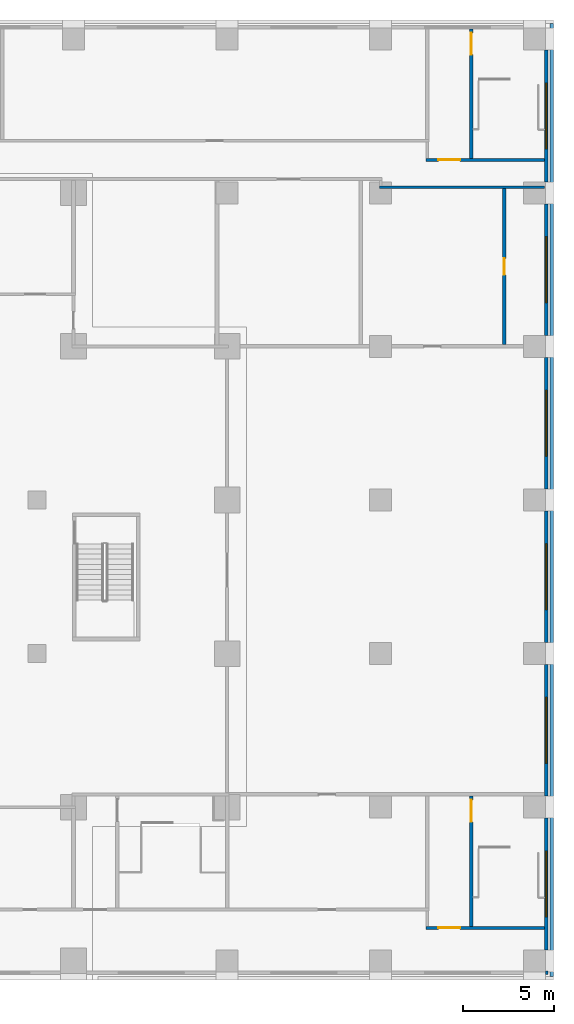
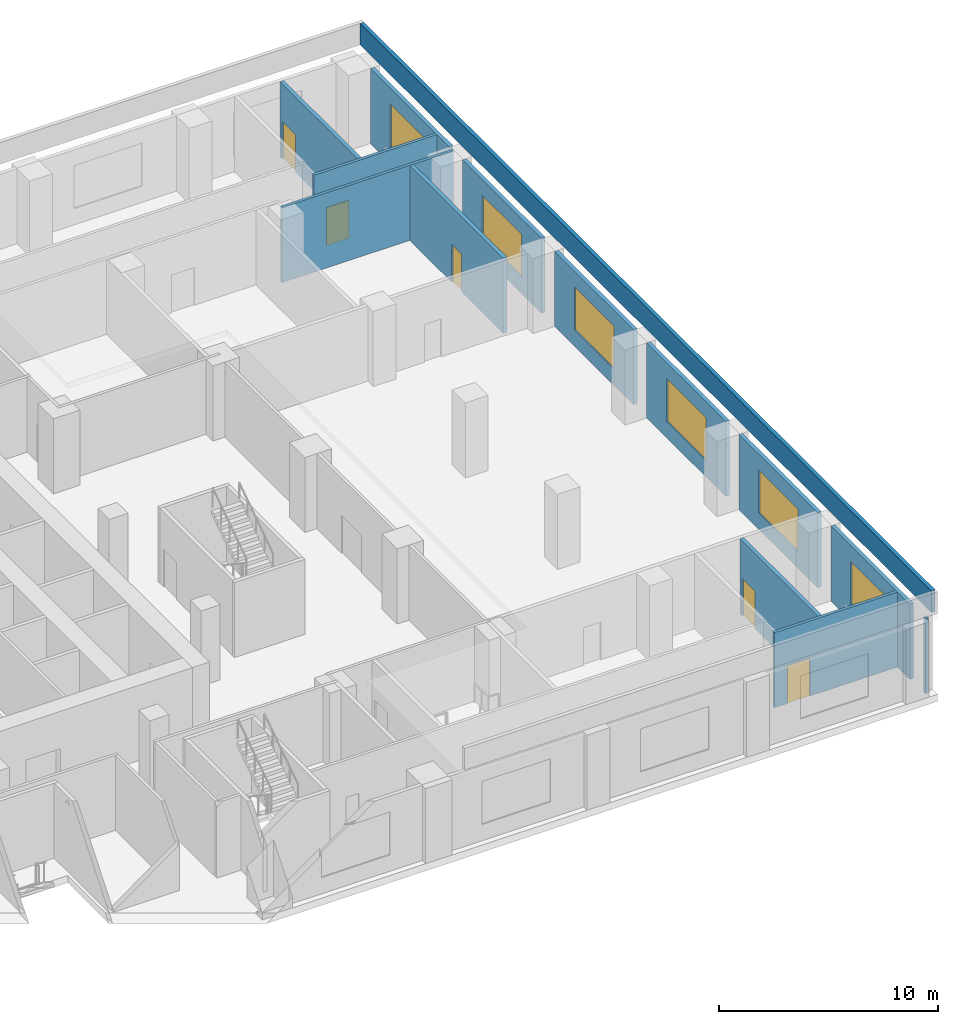
# One storey, part 9 of 16: 14 walls, 6 windows, 5 doors, 11 openings.
"""IFC4 building model written with IfcOpenShell, lengths in metres."""

from ifc_helpers import new_model, si_unit, direction, frame, frame_2d, origin, place, context, subcontext, project, spatial, rectangle, extrude, material, layer, layer_set, type_object, element, fill, save


model = new_model("IFC4")

# Units and contexts
model_context = context("Model", 3, precision=1e-05, world=origin(), true_north=direction((0.0, 1.0)))
body_context = subcontext(model_context, "Body", "Model", "MODEL_VIEW")
ifc_project = project(units=[si_unit("LENGTHUNIT", "METRE"), si_unit("AREAUNIT", "SQUARE_METRE"), si_unit("VOLUMEUNIT", "CUBIC_METRE"), si_unit("PLANEANGLEUNIT", "RADIAN"), si_unit("MASSUNIT", "GRAM", prefix="KILO")], contexts=[model_context])

# Site, building, storey
site_placement = place(None, origin())
site = spatial("IfcSite", under=ifc_project, at=site_placement, CompositionType="ELEMENT")
building_placement = place(site_placement, origin())
building = spatial("IfcBuilding", under=site, at=building_placement, Name="Vermilion Ogive Tower", CompositionType="ELEMENT")
storey_placement = place(building_placement, frame((0.0, 0.0, 30.0)))
storey = spatial("IfcBuildingStorey", under=building, at=storey_placement, Name="L05", CompositionType="ELEMENT", Elevation=30.0)

# Wall, opening, door
ifc_material_1 = material(Name="Gypsum board partition on steel studs", Category="steel")
ifc_layer_1 = layer(ifc_material_1, 0.14990234375)
ifc_layer_set_1 = layer_set([ifc_layer_1], Name="Partition 150 corridor")
wall_type_1 = type_object("IfcWallType", Name="Partition 150 corridor", PredefinedType="PARTITIONING", material=ifc_layer_set_1)
wall_1_placement = place(storey_placement, frame((36.074951171875, -19.199951171875, 0.0), z_axis=(0.0, 0.0, 1.0), x_axis=(1.0, 0.0, 0.0)))
wall_1 = element("IfcWall", 1, at=wall_1_placement, inside=storey, type_object=wall_type_1, Name="L05-FS-W-W001", PredefinedType="PARTITIONING", context=body_context, shape_type="SweptSolid", body=[
    extrude(rectangle(XDim=6.47509765625, YDim=0.14990234375, at=frame_2d((3.237548828125, 0.0))), origin(), (0.0, 0.0, 1.0), 4.179931640625),
])
opening_1_placement = place(wall_1_placement, frame((0.675048828125, 0.0, 0.0)))
opening_1 = element("IfcOpeningElement", 2, at=opening_1_placement, cuts=wall_1, Name="Opening L05S012", PredefinedType="OPENING", context=body_context, shape_type="SweptSolid", body=[
    extrude(rectangle(XDim=1.199951171875, YDim=2.10009765625, at=frame_2d((0.60009765625, 1.050048828125))), frame((0.0, 0.0849609375, 0.0), z_axis=(0.0, -1.0, 0.0), x_axis=(1.0, 0.0, 0.0)), (0.0, 0.0, 1.0), 0.169921875),
])
ifc_material_2 = material(Name="Timber door leaf", Category="wood")
door_type_1 = type_object("IfcDoorType", Name="Stair door 1200 x 2100 FD60S", OperationType="SINGLE_SWING_LEFT", PredefinedType="DOOR", material=ifc_material_2)
door_1_placement = place(opening_1_placement, origin())
door_1 = element("IfcDoor", 3, at=door_1_placement, inside=storey, type_object=door_type_1, Name="L05-FS-D-D012", OperationType="SINGLE_SWING_LEFT", OverallHeight=2.10009765625, OverallWidth=1.199951171875, PredefinedType="DOOR", context=body_context, shape_type="SweptSolid", body=[
    extrude(rectangle(XDim=1.199951171875, YDim=2.10009765625, at=frame_2d((0.60009765625, 1.050048828125))), frame((0.0, 0.02490234375, 0.0), z_axis=(0.0, -1.0, 0.0), x_axis=(1.0, 0.0, 0.0)), (0.0, 0.0, 1.0), 0.050048828125),
])
fill(opening_1, door_1)

# Wall
wall_2_placement = place(storey_placement, frame((33.52490234375, 21.300048828125, 0.0), z_axis=(0.0, 0.0, 1.0), x_axis=(1.0, 0.0, 0.0)))
element("IfcWall", 4, at=wall_2_placement, inside=storey, type_object=wall_type_1, Name="L05-FS-W-W018", PredefinedType="PARTITIONING", context=body_context, shape_type="SweptSolid", body=[
    extrude(rectangle(XDim=9.025146484375, YDim=0.14990234375, at=frame_2d((4.5126953125, 0.0))), origin(), (0.0, 0.0, 1.0), 4.179931640625),
])

# Wall, opening, door
wall_3_placement = place(storey_placement, frame((36.074951171875, 22.800048828125, 0.0), z_axis=(0.0, 0.0, 1.0), x_axis=(1.0, 0.0, 0.0)))
wall_3 = element("IfcWall", 5, at=wall_3_placement, inside=storey, type_object=wall_type_1, Name="L05-FS-W-W021", PredefinedType="PARTITIONING", context=body_context, shape_type="SweptSolid", body=[
    extrude(rectangle(XDim=6.47509765625, YDim=0.14990234375, at=frame_2d((3.237548828125, 0.0))), origin(), (0.0, 0.0, 1.0), 4.179931640625),
])
opening_2_placement = place(wall_3_placement, frame((0.675048828125, 0.0, 0.0)))
opening_2 = element("IfcOpeningElement", 6, at=opening_2_placement, cuts=wall_3, Name="Opening L05S008", PredefinedType="OPENING", context=body_context, shape_type="SweptSolid", body=[
    extrude(rectangle(XDim=1.199951171875, YDim=2.10009765625, at=frame_2d((0.60009765625, 1.050048828125))), frame((0.0, 0.0849609375, 0.0), z_axis=(0.0, -1.0, 0.0), x_axis=(1.0, 0.0, 0.0)), (0.0, 0.0, 1.0), 0.169921875),
])
door_2_placement = place(opening_2_placement, origin())
door_2 = element("IfcDoor", 7, at=door_2_placement, inside=storey, type_object=door_type_1, Name="L05-FS-D-D008", OperationType="SINGLE_SWING_LEFT", OverallHeight=2.10009765625, OverallWidth=1.199951171875, PredefinedType="DOOR", context=body_context, shape_type="SweptSolid", body=[
    extrude(rectangle(XDim=1.199951171875, YDim=2.10009765625, at=frame_2d((0.60009765625, 1.050048828125))), frame((0.0, 0.02490234375, 0.0), z_axis=(0.0, -1.0, 0.0), x_axis=(1.0, 0.0, 0.0)), (0.0, 0.0, 1.0), 0.050048828125),
])
fill(opening_2, door_2)

ifc_material_3 = material(Name="Gypsum board partition on steel studs", Category="steel")
ifc_layer_2 = layer(ifc_material_3, 0.199951171875)
ifc_layer_set_2 = layer_set([ifc_layer_2], Name="Partition 200 party")
wall_type_2 = type_object("IfcWallType", Name="Partition 200 party", PredefinedType="PARTITIONING", material=ifc_layer_set_2)
wall_4_placement = place(storey_placement, frame((38.550048828125, -19.125, 0.0), z_axis=(0.0, 0.0, 1.0), x_axis=(0.0, 1.0, 0.0)))
wall_4 = element("IfcWall", 8, at=wall_4_placement, inside=storey, type_object=wall_type_2, Name="L05-FS-W-W059", PredefinedType="PARTITIONING", context=body_context, shape_type="SweptSolid", body=[
    extrude(rectangle(XDim=7.125, YDim=0.199951171875, at=frame_2d((3.5625, 0.0))), origin(), (0.0, 0.0, 1.0), 4.179931640625),
])
opening_3_placement = place(wall_4_placement, frame((5.72509765625, 0.0, 0.0)))
opening_3 = element("IfcOpeningElement", 9, at=opening_3_placement, cuts=wall_4, Name="Opening L05S006", PredefinedType="OPENING", context=body_context, shape_type="SweptSolid", body=[
    extrude(rectangle(XDim=1.199951171875, YDim=2.10009765625, at=frame_2d((0.60009765625, 1.050048828125))), frame((0.0, 0.10986328125, 0.0), z_axis=(0.0, -1.0, 0.0), x_axis=(1.0, 0.0, 0.0)), (0.0, 0.0, 1.0), 0.219970703125),
])
door_3_placement = place(opening_3_placement, origin())
door_3 = element("IfcDoor", 10, at=door_3_placement, inside=storey, type_object=door_type_1, Name="L05-FS-D-D006", OperationType="DOUBLE_DOOR_SINGLE_SWING", OverallHeight=2.10009765625, OverallWidth=1.199951171875, PredefinedType="DOOR", context=body_context, shape_type="SweptSolid", body=[
    extrude(rectangle(XDim=1.199951171875, YDim=2.10009765625, at=frame_2d((0.60009765625, 1.050048828125))), frame((0.0, 0.02490234375, 0.0), z_axis=(0.0, -1.0, 0.0), x_axis=(1.0, 0.0, 0.0)), (0.0, 0.0, 1.0), 0.050048828125),
])
fill(opening_3, door_3)

wall_5_placement = place(storey_placement, frame((38.550048828125, 22.875, 0.0), z_axis=(0.0, 0.0, 1.0), x_axis=(0.0, 1.0, 0.0)))
wall_5 = element("IfcWall", 11, at=wall_5_placement, inside=storey, type_object=wall_type_2, Name="L05-FS-W-W060", PredefinedType="PARTITIONING", context=body_context, shape_type="SweptSolid", body=[
    extrude(rectangle(XDim=7.074951171875, YDim=0.199951171875, at=frame_2d((3.53759765625, 0.0))), origin(), (0.0, 0.0, 1.0), 4.179931640625),
])
opening_4_placement = place(wall_5_placement, frame((5.675048828125, 0.0, 0.0)))
opening_4 = element("IfcOpeningElement", 12, at=opening_4_placement, cuts=wall_5, Name="Opening L05S002", PredefinedType="OPENING", context=body_context, shape_type="SweptSolid", body=[
    extrude(rectangle(XDim=1.199951171875, YDim=2.10009765625, at=frame_2d((0.60009765625, 1.050048828125))), frame((0.0, 0.10986328125, 0.0), z_axis=(0.0, -1.0, 0.0), x_axis=(1.0, 0.0, 0.0)), (0.0, 0.0, 1.0), 0.219970703125),
])
door_4_placement = place(opening_4_placement, origin())
door_4 = element("IfcDoor", 13, at=door_4_placement, inside=storey, type_object=door_type_1, Name="L05-FS-D-D002", OperationType="DOUBLE_DOOR_SINGLE_SWING", OverallHeight=2.10009765625, OverallWidth=1.199951171875, PredefinedType="DOOR", context=body_context, shape_type="SweptSolid", body=[
    extrude(rectangle(XDim=1.199951171875, YDim=2.10009765625, at=frame_2d((0.60009765625, 1.050048828125))), frame((0.0, 0.02490234375, 0.0), z_axis=(0.0, -1.0, 0.0), x_axis=(1.0, 0.0, 0.0)), (0.0, 0.0, 1.0), 0.050048828125),
])
fill(opening_4, door_4)

wall_6_placement = place(storey_placement, frame((40.35009765625, 12.699951171875, 0.0), z_axis=(0.0, 0.0, 1.0), x_axis=(0.0, 1.0, 0.0)))
wall_6 = element("IfcWall", 14, at=wall_6_placement, inside=storey, type_object=wall_type_2, Name="L05-FS-W-W061", PredefinedType="PARTITIONING", context=body_context, shape_type="SweptSolid", body=[
    extrude(rectangle(XDim=8.525146484375, YDim=0.199951171875, at=frame_2d((4.2626953125, 0.0))), origin(), (0.0, 0.0, 1.0), 4.179931640625),
])
opening_5_placement = place(wall_6_placement, frame((3.8125, 0.0, 0.0)))
opening_5 = element("IfcOpeningElement", 15, at=opening_5_placement, cuts=wall_6, Name="Opening L05S025", PredefinedType="OPENING", context=body_context, shape_type="SweptSolid", body=[
    extrude(rectangle(XDim=0.89990234375, YDim=2.10009765625, at=frame_2d((0.449951171875, 1.050048828125))), frame((0.0, 0.10986328125, 0.0), z_axis=(0.0, -1.0, 0.0), x_axis=(1.0, 0.0, 0.0)), (0.0, 0.0, 1.0), 0.219970703125),
])
ifc_material_4 = material(Name="Timber door leaf", Category="wood")
door_type_2 = type_object("IfcDoorType", Name="Room door 900 x 2100 FD30", OperationType="SINGLE_SWING_LEFT", PredefinedType="DOOR", material=ifc_material_4)
door_5_placement = place(opening_5_placement, origin())
door_5 = element("IfcDoor", 16, at=door_5_placement, inside=storey, type_object=door_type_2, Name="L05-FS-D-D025", OperationType="SINGLE_SWING_RIGHT", OverallHeight=2.10009765625, OverallWidth=0.89990234375, PredefinedType="DOOR", context=body_context, shape_type="SweptSolid", body=[
    extrude(rectangle(XDim=0.89990234375, YDim=2.10009765625, at=frame_2d((0.449951171875, 1.050048828125))), frame((0.0, 0.02490234375, 0.0), z_axis=(0.0, -1.0, 0.0), x_axis=(1.0, 0.0, 0.0)), (0.0, 0.0, 1.0), 0.050048828125),
])
fill(opening_5, door_5)

# Walls
ifc_material_5 = material(Name="Concrete B45", Category="concrete")
ifc_layer_3 = layer(ifc_material_5, 0.199951171875)
ifc_layer_set_3 = layer_set([ifc_layer_3], Name="Terrace parapet RC Concrete B45")
wall_type_3 = type_object("IfcWallType", Name="Terrace parapet RC Concrete B45", PredefinedType="PARAPET", material=ifc_layer_set_3)
wall_7_placement = place(storey_placement, frame((42.949951171875, -21.85009765625, 4.5), z_axis=(0.0, 0.0, 1.0), x_axis=(0.0, 1.0, 0.0)))
element("IfcWall", 17, at=wall_7_placement, inside=storey, type_object=wall_type_3, Name="L05 terrace parapet 4", PredefinedType="PARAPET", context=body_context, shape_type="SweptSolid", body=[
    extrude(rectangle(XDim=52.10009765625, YDim=0.199951171875, at=frame_2d((26.050048828125, 0.0))), origin(), (0.0, 0.0, 1.0), 1.199951171875),
])
ifc_material_6 = material(Name="Aluminium window wall framing", Category="aluminium")
ifc_layer_4 = layer(ifc_material_6, 0.199951171875)
ifc_layer_set_4 = layer_set([ifc_layer_4], Name="Window wall")
wall_type_4 = type_object("IfcWallType", Name="Window wall", PredefinedType="STANDARD", material=ifc_layer_set_4)
wall_8_placement = place(storey_placement, frame((42.60009765625, -21.64990234375, 0.0), z_axis=(0.0, 0.0, 1.0), x_axis=(1.0, 0.0, 0.0)))
element("IfcWall", 18, at=wall_8_placement, inside=storey, type_object=wall_type_4, Name="Window wall S9", PredefinedType="STANDARD", context=body_context, shape_type="SweptSolid", body=[
    extrude(rectangle(XDim=0.14990234375, YDim=0.199951171875, at=frame_2d((0.074951171875, 0.0))), origin(), (0.0, 0.0, 1.0), 4.179931640625),
])

# Wall, opening, window
wall_9_placement = place(storey_placement, frame((42.64990234375, -20.39990234375, 0.0), z_axis=(0.0, 0.0, 1.0), x_axis=(0.0, 1.0, 0.0)))
wall_9 = element("IfcWall", 19, at=wall_9_placement, inside=storey, type_object=wall_type_4, Name="Window wall E1", PredefinedType="STANDARD", context=body_context, shape_type="SweptSolid", body=[
    extrude(rectangle(XDim=7.199951171875, YDim=0.199951171875, at=frame_2d((3.60009765625, 0.0))), origin(), (0.0, 0.0, 1.0), 4.179931640625),
])
opening_6_placement = place(wall_9_placement, frame((1.800048828125, 0.0, 0.89990234375)))
opening_6 = element("IfcOpeningElement", 20, at=opening_6_placement, cuts=wall_9, Name="Opening P-E1", PredefinedType="OPENING", context=body_context, shape_type="SweptSolid", body=[
    extrude(rectangle(XDim=3.60009765625, YDim=2.39990234375, at=frame_2d((1.800048828125, 1.199951171875))), frame((0.0, 0.10986328125, 0.0), z_axis=(0.0, -1.0, 0.0), x_axis=(1.0, 0.0, 0.0)), (0.0, 0.0, 1.0), 0.219970703125),
])
ifc_material_7 = material(Name="Aluminium framed double glazing", Category="aluminium")
window_type = type_object("IfcWindowType", Name="Podium window P 3600x2400 sill 900", PartitioningType="SINGLE_PANEL", PredefinedType="WINDOW", material=ifc_material_7)
window_1_placement = place(opening_6_placement, origin())
window_1 = element("IfcWindow", 21, at=window_1_placement, inside=storey, type_object=window_type, Name="Window E1", OverallHeight=2.39990234375, OverallWidth=3.60009765625, PartitioningType="SINGLE_PANEL", PredefinedType="WINDOW", context=body_context, shape_type="SweptSolid", body=[
    extrude(rectangle(XDim=3.60009765625, YDim=2.39990234375, at=frame_2d((1.800048828125, 1.199951171875))), frame((0.0, 0.030029296875, 0.0), z_axis=(0.0, -1.0, 0.0), x_axis=(1.0, 0.0, 0.0)), (0.0, 0.0, 1.0), 0.06005859375),
])
fill(opening_6, window_1)

wall_10_placement = place(storey_placement, frame((42.64990234375, -12.0, 0.0), z_axis=(0.0, 0.0, 1.0), x_axis=(0.0, 1.0, 0.0)))
wall_10 = element("IfcWall", 22, at=wall_10_placement, inside=storey, type_object=wall_type_4, Name="Window wall E2", PredefinedType="STANDARD", context=body_context, shape_type="SweptSolid", body=[
    extrude(rectangle(XDim=7.199951171875, YDim=0.199951171875, at=frame_2d((3.60009765625, 0.0))), origin(), (0.0, 0.0, 1.0), 4.179931640625),
])
opening_7_placement = place(wall_10_placement, frame((1.800048828125, 0.0, 0.89990234375)))
opening_7 = element("IfcOpeningElement", 23, at=opening_7_placement, cuts=wall_10, Name="Opening P-E2", PredefinedType="OPENING", context=body_context, shape_type="SweptSolid", body=[
    extrude(rectangle(XDim=3.60009765625, YDim=2.39990234375, at=frame_2d((1.800048828125, 1.199951171875))), frame((0.0, 0.10986328125, 0.0), z_axis=(0.0, -1.0, 0.0), x_axis=(1.0, 0.0, 0.0)), (0.0, 0.0, 1.0), 0.219970703125),
])
window_2_placement = place(opening_7_placement, origin())
window_2 = element("IfcWindow", 24, at=window_2_placement, inside=storey, type_object=window_type, Name="Window E2", OverallHeight=2.39990234375, OverallWidth=3.60009765625, PartitioningType="SINGLE_PANEL", PredefinedType="WINDOW", context=body_context, shape_type="SweptSolid", body=[
    extrude(rectangle(XDim=3.60009765625, YDim=2.39990234375, at=frame_2d((1.800048828125, 1.199951171875))), frame((0.0, 0.030029296875, 0.0), z_axis=(0.0, -1.0, 0.0), x_axis=(1.0, 0.0, 0.0)), (0.0, 0.0, 1.0), 0.06005859375),
])
fill(opening_7, window_2)

wall_11_placement = place(storey_placement, frame((42.64990234375, -3.60009765625, 0.0), z_axis=(0.0, 0.0, 1.0), x_axis=(0.0, 1.0, 0.0)))
wall_11 = element("IfcWall", 25, at=wall_11_placement, inside=storey, type_object=wall_type_4, Name="Window wall E3", PredefinedType="STANDARD", context=body_context, shape_type="SweptSolid", body=[
    extrude(rectangle(XDim=7.2001953125, YDim=0.199951171875, at=frame_2d((3.60009765625, 0.0))), origin(), (0.0, 0.0, 1.0), 4.179931640625),
])
opening_8_placement = place(wall_11_placement, frame((1.800048828125, 0.0, 0.89990234375)))
opening_8 = element("IfcOpeningElement", 26, at=opening_8_placement, cuts=wall_11, Name="Opening P-E3", PredefinedType="OPENING", context=body_context, shape_type="SweptSolid", body=[
    extrude(rectangle(XDim=3.60009765625, YDim=2.39990234375, at=frame_2d((1.800048828125, 1.199951171875))), frame((0.0, 0.10986328125, 0.0), z_axis=(0.0, -1.0, 0.0), x_axis=(1.0, 0.0, 0.0)), (0.0, 0.0, 1.0), 0.219970703125),
])
window_3_placement = place(opening_8_placement, origin())
window_3 = element("IfcWindow", 27, at=window_3_placement, inside=storey, type_object=window_type, Name="Window E3", OverallHeight=2.39990234375, OverallWidth=3.60009765625, PartitioningType="SINGLE_PANEL", PredefinedType="WINDOW", context=body_context, shape_type="SweptSolid", body=[
    extrude(rectangle(XDim=3.60009765625, YDim=2.39990234375, at=frame_2d((1.800048828125, 1.199951171875))), frame((0.0, 0.030029296875, 0.0), z_axis=(0.0, -1.0, 0.0), x_axis=(1.0, 0.0, 0.0)), (0.0, 0.0, 1.0), 0.06005859375),
])
fill(opening_8, window_3)

wall_12_placement = place(storey_placement, frame((42.64990234375, 4.800048828125, 0.0), z_axis=(0.0, 0.0, 1.0), x_axis=(0.0, 1.0, 0.0)))
wall_12 = element("IfcWall", 28, at=wall_12_placement, inside=storey, type_object=wall_type_4, Name="Window wall E4", PredefinedType="STANDARD", context=body_context, shape_type="SweptSolid", body=[
    extrude(rectangle(XDim=7.199951171875, YDim=0.199951171875, at=frame_2d((3.60009765625, 0.0))), origin(), (0.0, 0.0, 1.0), 4.179931640625),
])
opening_9_placement = place(wall_12_placement, frame((1.800048828125, 0.0, 0.89990234375)))
opening_9 = element("IfcOpeningElement", 29, at=opening_9_placement, cuts=wall_12, Name="Opening P-E4", PredefinedType="OPENING", context=body_context, shape_type="SweptSolid", body=[
    extrude(rectangle(XDim=3.60009765625, YDim=2.39990234375, at=frame_2d((1.800048828125, 1.199951171875))), frame((0.0, 0.10986328125, 0.0), z_axis=(0.0, -1.0, 0.0), x_axis=(1.0, 0.0, 0.0)), (0.0, 0.0, 1.0), 0.219970703125),
])
window_4_placement = place(opening_9_placement, origin())
window_4 = element("IfcWindow", 30, at=window_4_placement, inside=storey, type_object=window_type, Name="Window E4", OverallHeight=2.39990234375, OverallWidth=3.60009765625, PartitioningType="SINGLE_PANEL", PredefinedType="WINDOW", context=body_context, shape_type="SweptSolid", body=[
    extrude(rectangle(XDim=3.60009765625, YDim=2.39990234375, at=frame_2d((1.800048828125, 1.199951171875))), frame((0.0, 0.030029296875, 0.0), z_axis=(0.0, -1.0, 0.0), x_axis=(1.0, 0.0, 0.0)), (0.0, 0.0, 1.0), 0.06005859375),
])
fill(opening_9, window_4)

wall_13_placement = place(storey_placement, frame((42.64990234375, 13.199951171875, 0.0), z_axis=(0.0, 0.0, 1.0), x_axis=(0.0, 1.0, 0.0)))
wall_13 = element("IfcWall", 31, at=wall_13_placement, inside=storey, type_object=wall_type_4, Name="Window wall E5", PredefinedType="STANDARD", context=body_context, shape_type="SweptSolid", body=[
    extrude(rectangle(XDim=7.199951171875, YDim=0.199951171875, at=frame_2d((3.60009765625, 0.0))), origin(), (0.0, 0.0, 1.0), 4.179931640625),
])
opening_10_placement = place(wall_13_placement, frame((1.800048828125, 0.0, 0.89990234375)))
opening_10 = element("IfcOpeningElement", 32, at=opening_10_placement, cuts=wall_13, Name="Opening P-E5", PredefinedType="OPENING", context=body_context, shape_type="SweptSolid", body=[
    extrude(rectangle(XDim=3.60009765625, YDim=2.39990234375, at=frame_2d((1.800048828125, 1.199951171875))), frame((0.0, 0.10986328125, 0.0), z_axis=(0.0, -1.0, 0.0), x_axis=(1.0, 0.0, 0.0)), (0.0, 0.0, 1.0), 0.219970703125),
])
window_5_placement = place(opening_10_placement, origin())
window_5 = element("IfcWindow", 33, at=window_5_placement, inside=storey, type_object=window_type, Name="Window E5", OverallHeight=2.39990234375, OverallWidth=3.60009765625, PartitioningType="SINGLE_PANEL", PredefinedType="WINDOW", context=body_context, shape_type="SweptSolid", body=[
    extrude(rectangle(XDim=3.60009765625, YDim=2.39990234375, at=frame_2d((1.800048828125, 1.199951171875))), frame((0.0, 0.030029296875, 0.0), z_axis=(0.0, -1.0, 0.0), x_axis=(1.0, 0.0, 0.0)), (0.0, 0.0, 1.0), 0.06005859375),
])
fill(opening_10, window_5)

wall_14_placement = place(storey_placement, frame((42.64990234375, 21.60009765625, 0.0), z_axis=(0.0, 0.0, 1.0), x_axis=(0.0, 1.0, 0.0)))
wall_14 = element("IfcWall", 34, at=wall_14_placement, inside=storey, type_object=wall_type_4, Name="Window wall E6", PredefinedType="STANDARD", context=body_context, shape_type="SweptSolid", body=[
    extrude(rectangle(XDim=7.199951171875, YDim=0.199951171875, at=frame_2d((3.60009765625, 0.0))), origin(), (0.0, 0.0, 1.0), 4.179931640625),
])
opening_11_placement = place(wall_14_placement, frame((1.800048828125, 0.0, 0.89990234375)))
opening_11 = element("IfcOpeningElement", 35, at=opening_11_placement, cuts=wall_14, Name="Opening P-E6", PredefinedType="OPENING", context=body_context, shape_type="SweptSolid", body=[
    extrude(rectangle(XDim=3.60009765625, YDim=2.39990234375, at=frame_2d((1.800048828125, 1.199951171875))), frame((0.0, 0.10986328125, 0.0), z_axis=(0.0, -1.0, 0.0), x_axis=(1.0, 0.0, 0.0)), (0.0, 0.0, 1.0), 0.219970703125),
])
window_6_placement = place(opening_11_placement, origin())
window_6 = element("IfcWindow", 36, at=window_6_placement, inside=storey, type_object=window_type, Name="Window E6", OverallHeight=2.39990234375, OverallWidth=3.60009765625, PartitioningType="SINGLE_PANEL", PredefinedType="WINDOW", context=body_context, shape_type="SweptSolid", body=[
    extrude(rectangle(XDim=3.60009765625, YDim=2.39990234375, at=frame_2d((1.800048828125, 1.199951171875))), frame((0.0, 0.030029296875, 0.0), z_axis=(0.0, -1.0, 0.0), x_axis=(1.0, 0.0, 0.0)), (0.0, 0.0, 1.0), 0.06005859375),
])
fill(opening_11, window_6)

save(model, "model.ifc")
